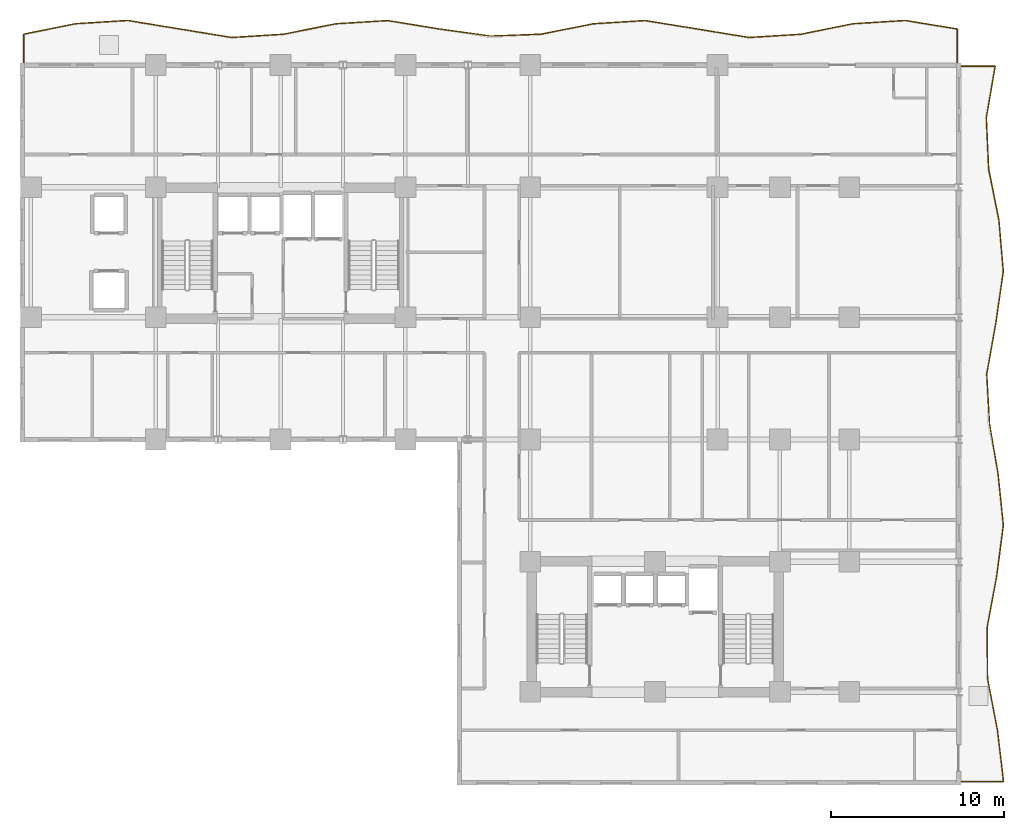
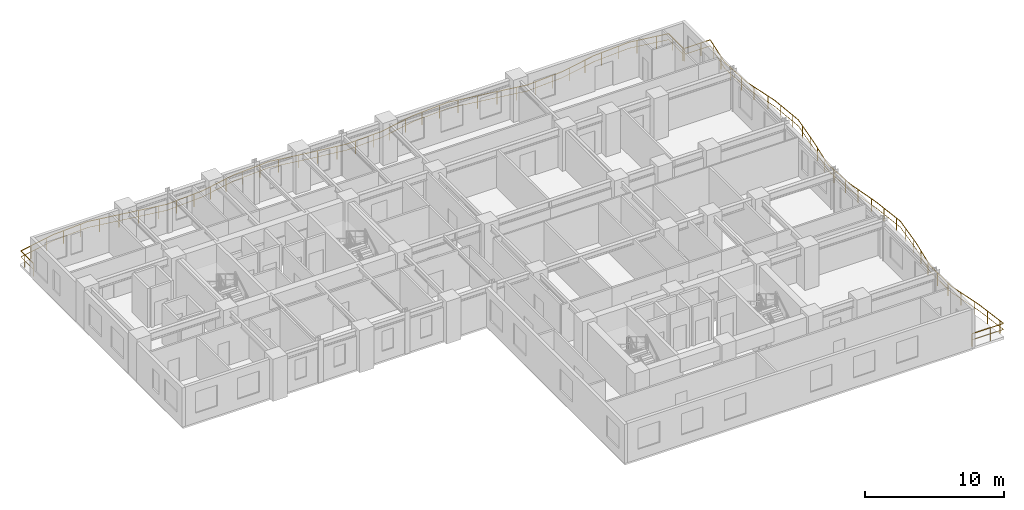
# One storey, part 11 of 11: 2 railings.
"""IFC4 building model written with IfcOpenShell, lengths in metres."""

from ifc_helpers import new_model, si_unit, direction, frame, origin, origin_2d, place, context, subcontext, project, spatial, rectangle, extrude, material, type_object, element, save


model = new_model("IFC4")

# Units and contexts
model_context = context("Model", 3, precision=1e-05, world=origin(), true_north=direction((0.0, 1.0)))
body_context = subcontext(model_context, "Body", "Model", "MODEL_VIEW")
ifc_project = project(units=[si_unit("LENGTHUNIT", "METRE"), si_unit("AREAUNIT", "SQUARE_METRE"), si_unit("VOLUMEUNIT", "CUBIC_METRE"), si_unit("PLANEANGLEUNIT", "RADIAN"), si_unit("MASSUNIT", "GRAM", prefix="KILO")], contexts=[model_context])

# Site, building, storey
site_placement = place(None, origin())
site = spatial("IfcSite", under=ifc_project, at=site_placement, CompositionType="ELEMENT")
building_placement = place(site_placement, origin())
building = spatial("IfcBuilding", under=site, at=building_placement, Name="Kaliganga Portal Commons", CompositionType="ELEMENT")
storey_placement = place(building_placement, frame((0.0, 0.0, 86.0)))
storey = spatial("IfcBuildingStorey", under=building, at=storey_placement, Name="L21", CompositionType="ELEMENT", Elevation=86.0)

# Railings
ifc_material = material(Name="Laminated Safety Glass and Stainless Steel 316", Category="steel")
railing_type = type_object("IfcRailingType", Name="RLG-BAL-1150", PredefinedType="BALUSTRADE", material=ifc_material)
railing_1_placement = place(storey_placement, frame((60.6201171875, 43.20556640625, 0.0)))
element("IfcRailing", 1, at=railing_1_placement, inside=storey, type_object=railing_type, Name="Balcony Guardrail L21 balc_north", PredefinedType="BALUSTRADE", context=body_context, shape_type="SweptSolid", body=[
    extrude(rectangle(XDim=0.048095703125, YDim=0.048095703125, at=origin_2d()), frame((0.0, 0.0, 1.1259765625), z_axis=(0.0, 1.0, 0.0), x_axis=(-1.0, 0.0, 0.0)), (0.0, 0.0, 1.0), 2.076416015625),
    extrude(rectangle(XDim=0.028076171875, YDim=0.028076171875, at=origin_2d()), frame((0.0, 0.0, 0.597900390625), z_axis=(0.0, 1.0, 0.0), x_axis=(-1.0, 0.0, 0.0)), (0.0, 0.0, 1.0), 2.076416015625),
    extrude(rectangle(XDim=0.048095703125, YDim=0.048095703125, at=origin_2d()), frame((0.0, 2.076416015625, 1.1259765625), z_axis=(-0.986897146994, 0.161350615911, 0.0), x_axis=(-0.161350615911, -0.986897146994, 0.0)), (0.0, 0.0, 1.0), 3.039794921875),
    extrude(rectangle(XDim=0.028076171875, YDim=0.028076171875, at=origin_2d()), frame((0.0, 2.076416015625, 0.597900390625), z_axis=(-0.986897146994, 0.161350615911, 0.0), x_axis=(-0.161350615911, -0.986897146994, 0.0)), (0.0, 0.0, 1.0), 3.039794921875),
    extrude(rectangle(XDim=0.048095703125, YDim=0.048095703125, at=origin_2d()), frame((-3.0, 2.56689453125, 1.1259765625), z_axis=(-0.998047518624, -0.062459191229, 0.0), x_axis=(0.062459191229, -0.998047518624, 0.0)), (0.0, 0.0, 1.0), 3.005859375),
    extrude(rectangle(XDim=0.028076171875, YDim=0.028076171875, at=origin_2d()), frame((-3.0, 2.56689453125, 0.597900390625), z_axis=(-0.998047518624, -0.062459191229, 0.0), x_axis=(0.062459191229, -0.998047518624, 0.0)), (0.0, 0.0, 1.0), 3.005859375),
    extrude(rectangle(XDim=0.048095703125, YDim=0.048095703125, at=origin_2d()), frame((-6.0, 2.379150390625, 1.1259765625), z_axis=(-0.980204587851, -0.197987287357, 0.0), x_axis=(0.197987287357, -0.980204587851, 0.0)), (0.0, 0.0, 1.0), 3.060546875),
    extrude(rectangle(XDim=0.028076171875, YDim=0.028076171875, at=origin_2d()), frame((-6.0, 2.379150390625, 0.597900390625), z_axis=(-0.980204587851, -0.197987287357, 0.0), x_axis=(0.197987287357, -0.980204587851, 0.0)), (0.0, 0.0, 1.0), 3.060546875),
    extrude(rectangle(XDim=0.048095703125, YDim=0.048095703125, at=origin_2d()), frame((-9.0, 1.773193359375, 1.1259765625), z_axis=(-0.998062678679, -0.06221647232, 0.0), x_axis=(0.06221647232, -0.998062678679, 0.0)), (0.0, 0.0, 1.0), 3.005859375),
    extrude(rectangle(XDim=0.028076171875, YDim=0.028076171875, at=origin_2d()), frame((-9.0, 1.773193359375, 0.597900390625), z_axis=(-0.998062678679, -0.06221647232, 0.0), x_axis=(0.06221647232, -0.998062678679, 0.0)), (0.0, 0.0, 1.0), 3.005859375),
    extrude(rectangle(XDim=0.048095703125, YDim=0.048095703125, at=origin_2d()), frame((-12.0, 1.586181640625, 1.1259765625), z_axis=(-0.98694825564, 0.16103769959, 0.0), x_axis=(-0.16103769959, -0.98694825564, 0.0)), (0.0, 0.0, 1.0), 3.039794921875),
    extrude(rectangle(XDim=0.028076171875, YDim=0.028076171875, at=origin_2d()), frame((-12.0, 1.586181640625, 0.597900390625), z_axis=(-0.98694825564, 0.16103769959, 0.0), x_axis=(-0.16103769959, -0.98694825564, 0.0)), (0.0, 0.0, 1.0), 3.039794921875),
    extrude(rectangle(XDim=0.048095703125, YDim=0.048095703125, at=origin_2d()), frame((-15.0, 2.07568359375, 1.1259765625), z_axis=(-0.987050191056, 0.160411721317, 0.0), x_axis=(-0.160411721317, -0.987050191056, 0.0)), (0.0, 0.0, 1.0), 3.039306640625),
    extrude(rectangle(XDim=0.028076171875, YDim=0.028076171875, at=origin_2d()), frame((-15.0, 2.07568359375, 0.597900390625), z_axis=(-0.987050191056, 0.160411721317, 0.0), x_axis=(-0.160411721317, -0.987050191056, 0.0)), (0.0, 0.0, 1.0), 3.039306640625),
    extrude(rectangle(XDim=0.048095703125, YDim=0.048095703125, at=origin_2d()), frame((-18.0, 2.563232421875, 1.1259765625), z_axis=(-0.99802689394, -0.062787888745, 0.0), x_axis=(0.062787888745, -0.99802689394, 0.0)), (0.0, 0.0, 1.0), 3.005615234375),
    extrude(rectangle(XDim=0.028076171875, YDim=0.028076171875, at=origin_2d()), frame((-18.0, 2.563232421875, 0.597900390625), z_axis=(-0.99802689394, -0.062787888745, 0.0), x_axis=(0.062787888745, -0.99802689394, 0.0)), (0.0, 0.0, 1.0), 3.005615234375),
    extrude(rectangle(XDim=0.048095703125, YDim=0.048095703125, at=origin_2d()), frame((-20.999755859375, 2.37451171875, 1.1259765625), z_axis=(-0.980669583061, -0.195671073128, 0.0), x_axis=(0.195671073128, -0.980669583061, 0.0)), (0.0, 0.0, 1.0), 3.059326171875),
    extrude(rectangle(XDim=0.028076171875, YDim=0.028076171875, at=origin_2d()), frame((-20.999755859375, 2.37451171875, 0.597900390625), z_axis=(-0.980669583061, -0.195671073128, 0.0), x_axis=(0.195671073128, -0.980669583061, 0.0)), (0.0, 0.0, 1.0), 3.059326171875),
    extrude(rectangle(XDim=0.048095703125, YDim=0.048095703125, at=origin_2d()), frame((-24.0, 1.77587890625, 1.1259765625), z_axis=(-0.999274075238, -0.038096227599, 0.0), x_axis=(0.038096227599, -0.999274075238, 0.0)), (0.0, 0.0, 1.0), 2.92236328125),
    extrude(rectangle(XDim=0.028076171875, YDim=0.028076171875, at=origin_2d()), frame((-24.0, 1.77587890625, 0.597900390625), z_axis=(-0.999274075238, -0.038096227599, 0.0), x_axis=(0.038096227599, -0.999274075238, 0.0)), (0.0, 0.0, 1.0), 2.92236328125),
    extrude(rectangle(XDim=0.048095703125, YDim=0.048095703125, at=origin_2d()), frame((-26.920166015625, 1.66455078125, 1.1259765625), z_axis=(-0.9904046318, 0.138197920782, 0.0), x_axis=(-0.138197920782, -0.9904046318, 0.0)), (0.0, 0.0, 1.0), 2.948486328125),
    extrude(rectangle(XDim=0.028076171875, YDim=0.028076171875, at=origin_2d()), frame((-26.920166015625, 1.66455078125, 0.597900390625), z_axis=(-0.9904046318, 0.138197920782, 0.0), x_axis=(-0.138197920782, -0.9904046318, 0.0)), (0.0, 0.0, 1.0), 2.948486328125),
    extrude(rectangle(XDim=0.048095703125, YDim=0.048095703125, at=origin_2d()), frame((-29.84033203125, 2.072021484375, 1.1259765625), z_axis=(-0.987014082013, 0.160633750836, 0.0), x_axis=(-0.160633750836, -0.987014082013, 0.0)), (0.0, 0.0, 1.0), 3.039794921875),
    extrude(rectangle(XDim=0.028076171875, YDim=0.028076171875, at=origin_2d()), frame((-29.84033203125, 2.072021484375, 0.597900390625), z_axis=(-0.987014082013, 0.160633750836, 0.0), x_axis=(-0.160633750836, -0.987014082013, 0.0)), (0.0, 0.0, 1.0), 3.039794921875),
    extrude(rectangle(XDim=0.048095703125, YDim=0.048095703125, at=origin_2d()), frame((-32.840576171875, 2.560302734375, 1.1259765625), z_axis=(-0.998132347923, -0.061088591653, 0.0), x_axis=(0.061088591653, -0.998132347923, 0.0)), (0.0, 0.0, 1.0), 3.00537109375),
    extrude(rectangle(XDim=0.028076171875, YDim=0.028076171875, at=origin_2d()), frame((-32.840576171875, 2.560302734375, 0.597900390625), z_axis=(-0.998132347923, -0.061088591653, 0.0), x_axis=(0.061088591653, -0.998132347923, 0.0)), (0.0, 0.0, 1.0), 3.00537109375),
    extrude(rectangle(XDim=0.048095703125, YDim=0.048095703125, at=origin_2d()), frame((-35.84033203125, 2.376708984375, 1.1259765625), z_axis=(-0.980371440796, -0.197159422984, 0.0), x_axis=(0.197159422984, -0.980371440796, 0.0)), (0.0, 0.0, 1.0), 3.059814453125),
    extrude(rectangle(XDim=0.028076171875, YDim=0.028076171875, at=origin_2d()), frame((-35.84033203125, 2.376708984375, 0.597900390625), z_axis=(-0.980371440796, -0.197159422984, 0.0), x_axis=(0.197159422984, -0.980371440796, 0.0)), (0.0, 0.0, 1.0), 3.059814453125),
    extrude(rectangle(XDim=0.048095703125, YDim=0.048095703125, at=origin_2d()), frame((-38.840087890625, 1.7734375, 1.1259765625), z_axis=(-0.998057631835, -0.062297379852, 0.0), x_axis=(0.062297379852, -0.998057631835, 0.0)), (0.0, 0.0, 1.0), 3.005859375),
    extrude(rectangle(XDim=0.028076171875, YDim=0.028076171875, at=origin_2d()), frame((-38.840087890625, 1.7734375, 0.597900390625), z_axis=(-0.998057631835, -0.062297379852, 0.0), x_axis=(0.062297379852, -0.998057631835, 0.0)), (0.0, 0.0, 1.0), 3.005859375),
    extrude(rectangle(XDim=0.048095703125, YDim=0.048095703125, at=origin_2d()), frame((-41.840087890625, 1.586181640625, 1.1259765625), z_axis=(-0.986935487284, 0.161115933227, 0.0), x_axis=(-0.161115933227, -0.986935487284, 0.0)), (0.0, 0.0, 1.0), 3.039794921875),
    extrude(rectangle(XDim=0.028076171875, YDim=0.028076171875, at=origin_2d()), frame((-41.840087890625, 1.586181640625, 0.597900390625), z_axis=(-0.986935487284, 0.161115933227, 0.0), x_axis=(-0.161115933227, -0.986935487284, 0.0)), (0.0, 0.0, 1.0), 3.039794921875),
    extrude(rectangle(XDim=0.048095703125, YDim=0.048095703125, at=origin_2d()), frame((-44.840087890625, 2.075927734375, 1.1259765625), z_axis=(-0.986884355159, 0.161428837392, 0.0), x_axis=(-0.161428837392, -0.986884355159, 0.0)), (0.0, 0.0, 1.0), 3.039794921875),
    extrude(rectangle(XDim=0.028076171875, YDim=0.028076171875, at=origin_2d()), frame((-44.840087890625, 2.075927734375, 0.597900390625), z_axis=(-0.986884355159, 0.161428837392, 0.0), x_axis=(-0.161428837392, -0.986884355159, 0.0)), (0.0, 0.0, 1.0), 3.039794921875),
    extrude(rectangle(XDim=0.048095703125, YDim=0.048095703125, at=origin_2d()), frame((-47.840087890625, 2.566650390625, 1.1259765625), z_axis=(-0.998057631835, -0.062297379852, 0.0), x_axis=(0.062297379852, -0.998057631835, 0.0)), (0.0, 0.0, 1.0), 3.005859375),
    extrude(rectangle(XDim=0.028076171875, YDim=0.028076171875, at=origin_2d()), frame((-47.840087890625, 2.566650390625, 0.597900390625), z_axis=(-0.998057631835, -0.062297379852, 0.0), x_axis=(0.062297379852, -0.998057631835, 0.0)), (0.0, 0.0, 1.0), 3.005859375),
    extrude(rectangle(XDim=0.048095703125, YDim=0.048095703125, at=origin_2d()), frame((-50.840087890625, 2.37939453125, 1.1259765625), z_axis=(-0.980173615519, -0.198140564856, 0.0), x_axis=(0.198140564856, -0.980173615519, 0.0)), (0.0, 0.0, 1.0), 3.060791015625),
    extrude(rectangle(XDim=0.028076171875, YDim=0.028076171875, at=origin_2d()), frame((-50.840087890625, 2.37939453125, 0.597900390625), z_axis=(-0.980173615519, -0.198140564856, 0.0), x_axis=(0.198140564856, -0.980173615519, 0.0)), (0.0, 0.0, 1.0), 3.060791015625),
    extrude(rectangle(XDim=0.048095703125, YDim=0.048095703125, at=origin_2d()), frame((-53.840087890625, 1.77294921875, 1.1259765625), z_axis=(-0.000137703111, -0.999999990519, 0.0), x_axis=(0.999999990519, -0.000137703111, 0.0)), (0.0, 0.0, 1.0), 1.77294921875),
    extrude(rectangle(XDim=0.028076171875, YDim=0.028076171875, at=origin_2d()), frame((-53.840087890625, 1.77294921875, 0.597900390625), z_axis=(-0.000137703111, -0.999999990519, 0.0), x_axis=(0.999999990519, -0.000137703111, 0.0)), (0.0, 0.0, 1.0), 1.77294921875),
    extrude(rectangle(XDim=0.0419921875, YDim=0.0419921875, at=origin_2d()), origin(), (0.0, 0.0, 1.0), 1.101806640625),
    extrude(rectangle(XDim=0.0419921875, YDim=0.0419921875, at=origin_2d()), frame((0.0, 1.5, 0.0)), (0.0, 0.0, 1.0), 1.101806640625),
    extrude(rectangle(XDim=0.0419921875, YDim=0.0419921875, at=origin_2d()), frame((-0.911376953125, 2.225341796875, 0.0)), (0.0, 0.0, 1.0), 1.101806640625),
    extrude(rectangle(XDim=0.0419921875, YDim=0.0419921875, at=origin_2d()), frame((-2.391845703125, 2.467529296875, 0.0)), (0.0, 0.0, 1.0), 1.101806640625),
    extrude(rectangle(XDim=0.0419921875, YDim=0.0419921875, at=origin_2d()), frame((-3.882080078125, 2.51171875, 0.0)), (0.0, 0.0, 1.0), 1.101806640625),
    extrude(rectangle(XDim=0.0419921875, YDim=0.0419921875, at=origin_2d()), frame((-5.379150390625, 2.41796875, 0.0)), (0.0, 0.0, 1.0), 1.101806640625),
    extrude(rectangle(XDim=0.0419921875, YDim=0.0419921875, at=origin_2d()), frame((-6.860595703125, 2.205322265625, 0.0)), (0.0, 0.0, 1.0), 1.101806640625),
    extrude(rectangle(XDim=0.0419921875, YDim=0.0419921875, at=origin_2d()), frame((-8.330810546875, 1.908447265625, 0.0)), (0.0, 0.0, 1.0), 1.101806640625),
    extrude(rectangle(XDim=0.0419921875, YDim=0.0419921875, at=origin_2d()), frame((-9.815673828125, 1.722412109375, 0.0)), (0.0, 0.0, 1.0), 1.101806640625),
    extrude(rectangle(XDim=0.0419921875, YDim=0.0419921875, at=origin_2d()), frame((-11.312744140625, 1.62890625, 0.0)), (0.0, 0.0, 1.0), 1.101806640625),
    extrude(rectangle(XDim=0.0419921875, YDim=0.0419921875, at=origin_2d()), frame((-12.80078125, 1.716796875, 0.0)), (0.0, 0.0, 1.0), 1.101806640625),
    extrude(rectangle(XDim=0.0419921875, YDim=0.0419921875, at=origin_2d()), frame((-14.28125, 1.95849609375, 0.0)), (0.0, 0.0, 1.0), 1.101806640625),
    extrude(rectangle(XDim=0.0419921875, YDim=0.0419921875, at=origin_2d()), frame((-15.76171875, 2.199462890625, 0.0)), (0.0, 0.0, 1.0), 1.101806640625),
    extrude(rectangle(XDim=0.0419921875, YDim=0.0419921875, at=origin_2d()), frame((-17.242431640625, 2.440185546875, 0.0)), (0.0, 0.0, 1.0), 1.101806640625),
    extrude(rectangle(XDim=0.0419921875, YDim=0.0419921875, at=origin_2d()), frame((-18.73095703125, 2.517333984375, 0.0)), (0.0, 0.0, 1.0), 1.101806640625),
    extrude(rectangle(XDim=0.0419921875, YDim=0.0419921875, at=origin_2d()), frame((-20.22802734375, 2.423095703125, 0.0)), (0.0, 0.0, 1.0), 1.101806640625),
    extrude(rectangle(XDim=0.0419921875, YDim=0.0419921875, at=origin_2d()), frame((-21.71240234375, 2.232421875, 0.0)), (0.0, 0.0, 1.0), 1.101806640625),
    extrude(rectangle(XDim=0.0419921875, YDim=0.0419921875, at=origin_2d()), frame((-23.183349609375, 1.938720703125, 0.0)), (0.0, 0.0, 1.0), 1.101806640625),
    extrude(rectangle(XDim=0.0419921875, YDim=0.0419921875, at=origin_2d()), frame((-24.6669921875, 1.75048828125, 0.0)), (0.0, 0.0, 1.0), 1.101806640625),
    extrude(rectangle(XDim=0.0419921875, YDim=0.0419921875, at=origin_2d()), frame((-26.165771484375, 1.693359375, 0.0)), (0.0, 0.0, 1.0), 1.101806640625),
    extrude(rectangle(XDim=0.0419921875, YDim=0.0419921875, at=origin_2d()), frame((-27.658203125, 1.767578125, 0.0)), (0.0, 0.0, 1.0), 1.101806640625),
    extrude(rectangle(XDim=0.0419921875, YDim=0.0419921875, at=origin_2d()), frame((-29.143798828125, 1.974853515625, 0.0)), (0.0, 0.0, 1.0), 1.101806640625),
    extrude(rectangle(XDim=0.0419921875, YDim=0.0419921875, at=origin_2d()), frame((-30.626708984375, 2.199951171875, 0.0)), (0.0, 0.0, 1.0), 1.101806640625),
    extrude(rectangle(XDim=0.0419921875, YDim=0.0419921875, at=origin_2d()), frame((-32.107177734375, 2.44091796875, 0.0)), (0.0, 0.0, 1.0), 1.101806640625),
    extrude(rectangle(XDim=0.0419921875, YDim=0.0419921875, at=origin_2d()), frame((-33.59619140625, 2.51416015625, 0.0)), (0.0, 0.0, 1.0), 1.101806640625),
    extrude(rectangle(XDim=0.0419921875, YDim=0.0419921875, at=origin_2d()), frame((-35.09326171875, 2.42236328125, 0.0)), (0.0, 0.0, 1.0), 1.101806640625),
    extrude(rectangle(XDim=0.0419921875, YDim=0.0419921875, at=origin_2d()), frame((-36.5771484375, 2.228515625, 0.0)), (0.0, 0.0, 1.0), 1.101806640625),
    extrude(rectangle(XDim=0.0419921875, YDim=0.0419921875, at=origin_2d()), frame((-38.047607421875, 1.932861328125, 0.0)), (0.0, 0.0, 1.0), 1.101806640625),
    extrude(rectangle(XDim=0.0419921875, YDim=0.0419921875, at=origin_2d()), frame((-39.530517578125, 1.730224609375, 0.0)), (0.0, 0.0, 1.0), 1.101806640625),
    extrude(rectangle(XDim=0.0419921875, YDim=0.0419921875, at=origin_2d()), frame((-41.027587890625, 1.636962890625, 0.0)), (0.0, 0.0, 1.0), 1.101806640625),
    extrude(rectangle(XDim=0.0419921875, YDim=0.0419921875, at=origin_2d()), frame((-42.51708984375, 1.69677734375, 0.0)), (0.0, 0.0, 1.0), 1.101806640625),
    extrude(rectangle(XDim=0.0419921875, YDim=0.0419921875, at=origin_2d()), frame((-43.997314453125, 1.9384765625, 0.0)), (0.0, 0.0, 1.0), 1.101806640625),
    extrude(rectangle(XDim=0.0419921875, YDim=0.0419921875, at=origin_2d()), frame((-45.477783203125, 2.18017578125, 0.0)), (0.0, 0.0, 1.0), 1.101806640625),
    extrude(rectangle(XDim=0.0419921875, YDim=0.0419921875, at=origin_2d()), frame((-46.9580078125, 2.42236328125, 0.0)), (0.0, 0.0, 1.0), 1.101806640625),
    extrude(rectangle(XDim=0.0419921875, YDim=0.0419921875, at=origin_2d()), frame((-48.4453125, 2.52880859375, 0.0)), (0.0, 0.0, 1.0), 1.101806640625),
    extrude(rectangle(XDim=0.0419921875, YDim=0.0419921875, at=origin_2d()), frame((-49.9423828125, 2.435546875, 0.0)), (0.0, 0.0, 1.0), 1.101806640625),
    extrude(rectangle(XDim=0.0419921875, YDim=0.0419921875, at=origin_2d()), frame((-51.4287109375, 2.260498046875, 0.0)), (0.0, 0.0, 1.0), 1.101806640625),
    extrude(rectangle(XDim=0.0419921875, YDim=0.0419921875, at=origin_2d()), frame((-52.89892578125, 1.963134765625, 0.0)), (0.0, 0.0, 1.0), 1.101806640625),
    extrude(rectangle(XDim=0.0419921875, YDim=0.0419921875, at=origin_2d()), frame((-53.840087890625, 1.233154296875, 0.0)), (0.0, 0.0, 1.0), 1.101806640625),
    extrude(rectangle(XDim=0.0419921875, YDim=0.0419921875, at=origin_2d()), frame((-53.84033203125, 0.0, 0.0)), (0.0, 0.0, 1.0), 1.101806640625),
])
railing_2_placement = place(storey_placement, frame((60.70703125, 1.879638671875, 0.0)))
element("IfcRailing", 2, at=railing_2_placement, inside=storey, type_object=railing_type, Name="Balcony Guardrail L21 balc_east", PredefinedType="BALUSTRADE", context=body_context, shape_type="SweptSolid", body=[
    extrude(rectangle(XDim=0.048095703125, YDim=0.048095703125, at=origin_2d()), frame((0.0, 0.0, 1.1259765625), z_axis=(0.999999995558, 9.425959e-05, 0.0), x_axis=(-9.425959e-05, 0.999999995558, 0.0)), (0.0, 0.0, 1.0), 2.590087890625),
    extrude(rectangle(XDim=0.028076171875, YDim=0.028076171875, at=origin_2d()), frame((0.0, 0.0, 0.597900390625), z_axis=(0.999999995558, 9.425959e-05, 0.0), x_axis=(-9.425959e-05, 0.999999995558, 0.0)), (0.0, 0.0, 1.0), 2.590087890625),
    extrude(rectangle(XDim=0.048095703125, YDim=0.048095703125, at=origin_2d()), frame((2.590087890625, 0.000244140625, 1.1259765625), z_axis=(-0.116836490437, 0.993151163974, 0.0), x_axis=(-0.993151163974, -0.116836490437, 0.0)), (0.0, 0.0, 1.0), 2.977783203125),
    extrude(rectangle(XDim=0.028076171875, YDim=0.028076171875, at=origin_2d()), frame((2.590087890625, 0.000244140625, 0.597900390625), z_axis=(-0.116836490437, 0.993151163974, 0.0), x_axis=(-0.993151163974, -0.116836490437, 0.0)), (0.0, 0.0, 1.0), 2.977783203125),
    extrude(rectangle(XDim=0.048095703125, YDim=0.048095703125, at=origin_2d()), frame((2.2421875, 2.95751953125, 1.1259765625), z_axis=(-0.190392360757, 0.981708077264, 0.0), x_axis=(-0.981708077264, -0.190392360757, 0.0)), (0.0, 0.0, 1.0), 3.01220703125),
    extrude(rectangle(XDim=0.028076171875, YDim=0.028076171875, at=origin_2d()), frame((2.2421875, 2.95751953125, 0.597900390625), z_axis=(-0.190392360757, 0.981708077264, 0.0), x_axis=(-0.981708077264, -0.190392360757, 0.0)), (0.0, 0.0, 1.0), 3.01220703125),
    extrude(rectangle(XDim=0.048095703125, YDim=0.048095703125, at=origin_2d()), frame((1.668701171875, 5.91455078125, 1.1259765625), z_axis=(-0.008998232242, 0.999959515089, 0.0), x_axis=(-0.999959515089, -0.008998232242, 0.0)), (0.0, 0.0, 1.0), 2.957275390625),
    extrude(rectangle(XDim=0.028076171875, YDim=0.028076171875, at=origin_2d()), frame((1.668701171875, 5.91455078125, 0.597900390625), z_axis=(-0.008998232242, 0.999959515089, 0.0), x_axis=(-0.999959515089, -0.008998232242, 0.0)), (0.0, 0.0, 1.0), 2.957275390625),
    extrude(rectangle(XDim=0.048095703125, YDim=0.048095703125, at=origin_2d()), frame((1.64208984375, 8.871826171875, 1.1259765625), z_axis=(0.184210140655, 0.982886882647, 0.0), x_axis=(-0.982886882647, 0.184210140655, 0.0)), (0.0, 0.0, 1.0), 3.008544921875),
    extrude(rectangle(XDim=0.028076171875, YDim=0.028076171875, at=origin_2d()), frame((1.64208984375, 8.871826171875, 0.597900390625), z_axis=(0.184210140655, 0.982886882647, 0.0), x_axis=(-0.982886882647, 0.184210140655, 0.0)), (0.0, 0.0, 1.0), 3.008544921875),
    extrude(rectangle(XDim=0.048095703125, YDim=0.048095703125, at=origin_2d()), frame((2.1962890625, 11.828857421875, 1.1259765625), z_axis=(0.128891072209, 0.99165875759, 0.0), x_axis=(-0.99165875759, 0.128891072209, 0.0)), (0.0, 0.0, 1.0), 2.9814453125),
    extrude(rectangle(XDim=0.028076171875, YDim=0.028076171875, at=origin_2d()), frame((2.1962890625, 11.828857421875, 0.597900390625), z_axis=(0.128891072209, 0.99165875759, 0.0), x_axis=(-0.99165875759, 0.128891072209, 0.0)), (0.0, 0.0, 1.0), 2.9814453125),
    extrude(rectangle(XDim=0.048095703125, YDim=0.048095703125, at=origin_2d()), frame((2.58056640625, 14.785400390625, 1.1259765625), z_axis=(-0.102829097179, 0.994699038289, 0.0), x_axis=(-0.994699038289, -0.102829097179, 0.0)), (0.0, 0.0, 1.0), 2.97265625),
    extrude(rectangle(XDim=0.028076171875, YDim=0.028076171875, at=origin_2d()), frame((2.58056640625, 14.785400390625, 0.597900390625), z_axis=(-0.102829097179, 0.994699038289, 0.0), x_axis=(-0.994699038289, -0.102829097179, 0.0)), (0.0, 0.0, 1.0), 2.97265625),
    extrude(rectangle(XDim=0.048095703125, YDim=0.048095703125, at=origin_2d()), frame((2.27490234375, 17.7421875, 1.1259765625), z_axis=(-0.170102854155, 0.985426313333, 0.0), x_axis=(-0.985426313333, -0.170102854155, 0.0)), (0.0, 0.0, 1.0), 2.920654296875),
    extrude(rectangle(XDim=0.028076171875, YDim=0.028076171875, at=origin_2d()), frame((2.27490234375, 17.7421875, 0.597900390625), z_axis=(-0.170102854155, 0.985426313333, 0.0), x_axis=(-0.985426313333, -0.170102854155, 0.0)), (0.0, 0.0, 1.0), 2.920654296875),
    extrude(rectangle(XDim=0.048095703125, YDim=0.048095703125, at=origin_2d()), frame((1.778076171875, 20.620361328125, 1.1259765625), z_axis=(-0.053888490989, 0.998546959606, 0.0), x_axis=(-0.998546959606, -0.053888490989, 0.0)), (0.0, 0.0, 1.0), 2.88134765625),
    extrude(rectangle(XDim=0.028076171875, YDim=0.028076171875, at=origin_2d()), frame((1.778076171875, 20.620361328125, 0.597900390625), z_axis=(-0.053888490989, 0.998546959606, 0.0), x_axis=(-0.998546959606, -0.053888490989, 0.0)), (0.0, 0.0, 1.0), 2.88134765625),
    extrude(rectangle(XDim=0.048095703125, YDim=0.048095703125, at=origin_2d()), frame((1.622802734375, 23.49755859375, 1.1259765625), z_axis=(0.175393988438, 0.984498323422, 0.0), x_axis=(-0.984498323422, 0.175393988438, 0.0)), (0.0, 0.0, 1.0), 3.00390625),
    extrude(rectangle(XDim=0.028076171875, YDim=0.028076171875, at=origin_2d()), frame((1.622802734375, 23.49755859375, 0.597900390625), z_axis=(0.175393988438, 0.984498323422, 0.0), x_axis=(-0.984498323422, 0.175393988438, 0.0)), (0.0, 0.0, 1.0), 3.00390625),
    extrude(rectangle(XDim=0.048095703125, YDim=0.048095703125, at=origin_2d()), frame((2.149658203125, 26.454833984375, 1.1259765625), z_axis=(0.143308456887, 0.989678071993, 0.0), x_axis=(-0.989678071993, 0.143308456887, 0.0)), (0.0, 0.0, 1.0), 2.988037109375),
    extrude(rectangle(XDim=0.028076171875, YDim=0.028076171875, at=origin_2d()), frame((2.149658203125, 26.454833984375, 0.597900390625), z_axis=(0.143308456887, 0.989678071993, 0.0), x_axis=(-0.989678071993, 0.143308456887, 0.0)), (0.0, 0.0, 1.0), 2.988037109375),
    extrude(rectangle(XDim=0.048095703125, YDim=0.048095703125, at=origin_2d()), frame((2.577880859375, 29.412109375, 1.1259765625), z_axis=(-0.085060482706, 0.996375789691, 0.0), x_axis=(-0.996375789691, -0.085060482706, 0.0)), (0.0, 0.0, 1.0), 2.9677734375),
    extrude(rectangle(XDim=0.028076171875, YDim=0.028076171875, at=origin_2d()), frame((2.577880859375, 29.412109375, 0.597900390625), z_axis=(-0.085060482706, 0.996375789691, 0.0), x_axis=(-0.996375789691, -0.085060482706, 0.0)), (0.0, 0.0, 1.0), 2.9677734375),
    extrude(rectangle(XDim=0.048095703125, YDim=0.048095703125, at=origin_2d()), frame((2.325439453125, 32.369140625, 1.1259765625), z_axis=(-0.196863281954, 0.980430950255, 0.0), x_axis=(-0.980430950255, -0.196863281954, 0.0)), (0.0, 0.0, 1.0), 3.01611328125),
    extrude(rectangle(XDim=0.028076171875, YDim=0.028076171875, at=origin_2d()), frame((2.325439453125, 32.369140625, 0.597900390625), z_axis=(-0.196863281954, 0.980430950255, 0.0), x_axis=(-0.980430950255, -0.196863281954, 0.0)), (0.0, 0.0, 1.0), 3.01611328125),
    extrude(rectangle(XDim=0.048095703125, YDim=0.048095703125, at=origin_2d()), frame((1.731689453125, 35.326171875, 1.1259765625), z_axis=(-0.045033526252, 0.998985476127, 0.0), x_axis=(-0.998985476127, -0.045033526252, 0.0)), (0.0, 0.0, 1.0), 2.9599609375),
    extrude(rectangle(XDim=0.028076171875, YDim=0.028076171875, at=origin_2d()), frame((1.731689453125, 35.326171875, 0.597900390625), z_axis=(-0.045033526252, 0.998985476127, 0.0), x_axis=(-0.998985476127, -0.045033526252, 0.0)), (0.0, 0.0, 1.0), 2.9599609375),
    extrude(rectangle(XDim=0.048095703125, YDim=0.048095703125, at=origin_2d()), frame((1.598388671875, 38.283203125, 1.1259765625), z_axis=(0.169397389678, 0.98554782957, 0.0), x_axis=(-0.98554782957, 0.169397389678, 0.0)), (0.0, 0.0, 1.0), 3.000732421875),
    extrude(rectangle(XDim=0.028076171875, YDim=0.028076171875, at=origin_2d()), frame((1.598388671875, 38.283203125, 0.597900390625), z_axis=(0.169397389678, 0.98554782957, 0.0), x_axis=(-0.98554782957, 0.169397389678, 0.0)), (0.0, 0.0, 1.0), 3.000732421875),
    extrude(rectangle(XDim=0.048095703125, YDim=0.048095703125, at=origin_2d()), frame((2.106689453125, 41.240478515625, 1.1259765625), z_axis=(-0.999999993285, 0.000115888283, 0.0), x_axis=(-0.000115888283, -0.999999993285, 0.0)), (0.0, 0.0, 1.0), 2.106689453125),
    extrude(rectangle(XDim=0.028076171875, YDim=0.028076171875, at=origin_2d()), frame((2.106689453125, 41.240478515625, 0.597900390625), z_axis=(-0.999999993285, 0.000115888283, 0.0), x_axis=(-0.000115888283, -0.999999993285, 0.0)), (0.0, 0.0, 1.0), 2.106689453125),
    extrude(rectangle(XDim=0.0419921875, YDim=0.0419921875, at=origin_2d()), origin(), (0.0, 0.0, 1.0), 1.101806640625),
    extrude(rectangle(XDim=0.0419921875, YDim=0.0419921875, at=origin_2d()), frame((1.5, 0.000244140625, 0.0)), (0.0, 0.0, 1.0), 1.101806640625),
    extrude(rectangle(XDim=0.0419921875, YDim=0.0419921875, at=origin_2d()), frame((2.542236328125, 0.407470703125, 0.0)), (0.0, 0.0, 1.0), 1.101806640625),
    extrude(rectangle(XDim=0.0419921875, YDim=0.0419921875, at=origin_2d()), frame((2.366943359375, 1.89697265625, 0.0)), (0.0, 0.0, 1.0), 1.101806640625),
    extrude(rectangle(XDim=0.0419921875, YDim=0.0419921875, at=origin_2d()), frame((2.159912109375, 3.3818359375, 0.0)), (0.0, 0.0, 1.0), 1.101806640625),
    extrude(rectangle(XDim=0.0419921875, YDim=0.0419921875, at=origin_2d()), frame((1.874267578125, 4.8544921875, 0.0)), (0.0, 0.0, 1.0), 1.101806640625),
    extrude(rectangle(XDim=0.0419921875, YDim=0.0419921875, at=origin_2d()), frame((1.6650390625, 6.334716796875, 0.0)), (0.0, 0.0, 1.0), 1.101806640625),
    extrude(rectangle(XDim=0.0419921875, YDim=0.0419921875, at=origin_2d()), frame((1.6513671875, 7.83447265625, 0.0)), (0.0, 0.0, 1.0), 1.101806640625),
    extrude(rectangle(XDim=0.0419921875, YDim=0.0419921875, at=origin_2d()), frame((1.727294921875, 9.32666015625, 0.0)), (0.0, 0.0, 1.0), 1.101806640625),
    extrude(rectangle(XDim=0.0419921875, YDim=0.0419921875, at=origin_2d()), frame((2.003662109375, 10.801025390625, 0.0)), (0.0, 0.0, 1.0), 1.101806640625),
    extrude(rectangle(XDim=0.0419921875, YDim=0.0419921875, at=origin_2d()), frame((2.2548828125, 12.279296875, 0.0)), (0.0, 0.0, 1.0), 1.101806640625),
    extrude(rectangle(XDim=0.0419921875, YDim=0.0419921875, at=origin_2d()), frame((2.4482421875, 13.766845703125, 0.0)), (0.0, 0.0, 1.0), 1.101806640625),
    extrude(rectangle(XDim=0.0419921875, YDim=0.0419921875, at=origin_2d()), frame((2.531982421875, 15.255615234375, 0.0)), (0.0, 0.0, 1.0), 1.101806640625),
    extrude(rectangle(XDim=0.0419921875, YDim=0.0419921875, at=origin_2d()), frame((2.377685546875, 16.747802734375, 0.0)), (0.0, 0.0, 1.0), 1.101806640625),
    extrude(rectangle(XDim=0.0419921875, YDim=0.0419921875, at=origin_2d()), frame((2.189697265625, 18.235107421875, 0.0)), (0.0, 0.0, 1.0), 1.101806640625),
    extrude(rectangle(XDim=0.0419921875, YDim=0.0419921875, at=origin_2d()), frame((1.9345703125, 19.71337890625, 0.0)), (0.0, 0.0, 1.0), 1.101806640625),
    extrude(rectangle(XDim=0.0419921875, YDim=0.0419921875, at=origin_2d()), frame((1.746826171875, 21.198974609375, 0.0)), (0.0, 0.0, 1.0), 1.101806640625),
    extrude(rectangle(XDim=0.0419921875, YDim=0.0419921875, at=origin_2d()), frame((1.666015625, 22.69677734375, 0.0)), (0.0, 0.0, 1.0), 1.101806640625),
    extrude(rectangle(XDim=0.0419921875, YDim=0.0419921875, at=origin_2d()), frame((1.745361328125, 24.184814453125, 0.0)), (0.0, 0.0, 1.0), 1.101806640625),
    extrude(rectangle(XDim=0.0419921875, YDim=0.0419921875, at=origin_2d()), frame((2.00830078125, 25.66162109375, 0.0)), (0.0, 0.0, 1.0), 1.101806640625),
    extrude(rectangle(XDim=0.0419921875, YDim=0.0419921875, at=origin_2d()), frame((2.249267578125, 27.141845703125, 0.0)), (0.0, 0.0, 1.0), 1.101806640625),
    extrude(rectangle(XDim=0.0419921875, YDim=0.0419921875, at=origin_2d()), frame((2.464111328125, 28.62646484375, 0.0)), (0.0, 0.0, 1.0), 1.101806640625),
    extrude(rectangle(XDim=0.0419921875, YDim=0.0419921875, at=origin_2d()), frame((2.517822265625, 30.11572265625, 0.0)), (0.0, 0.0, 1.0), 1.101806640625),
    extrude(rectangle(XDim=0.0419921875, YDim=0.0419921875, at=origin_2d()), frame((2.39013671875, 31.6103515625, 0.0)), (0.0, 0.0, 1.0), 1.101806640625),
    extrude(rectangle(XDim=0.0419921875, YDim=0.0419921875, at=origin_2d()), frame((2.18017578125, 33.093017578125, 0.0)), (0.0, 0.0, 1.0), 1.101806640625),
    extrude(rectangle(XDim=0.0419921875, YDim=0.0419921875, at=origin_2d()), frame((1.884765625, 34.563720703125, 0.0)), (0.0, 0.0, 1.0), 1.101806640625),
    extrude(rectangle(XDim=0.0419921875, YDim=0.0419921875, at=origin_2d()), frame((1.69921875, 36.0478515625, 0.0)), (0.0, 0.0, 1.0), 1.101806640625),
    extrude(rectangle(XDim=0.0419921875, YDim=0.0419921875, at=origin_2d()), frame((1.631591796875, 37.546142578125, 0.0)), (0.0, 0.0, 1.0), 1.101806640625),
    extrude(rectangle(XDim=0.0419921875, YDim=0.0419921875, at=origin_2d()), frame((1.7275390625, 39.034423828125, 0.0)), (0.0, 0.0, 1.0), 1.101806640625),
    extrude(rectangle(XDim=0.0419921875, YDim=0.0419921875, at=origin_2d()), frame((1.981689453125, 40.5126953125, 0.0)), (0.0, 0.0, 1.0), 1.101806640625),
    extrude(rectangle(XDim=0.0419921875, YDim=0.0419921875, at=origin_2d()), frame((1.344970703125, 41.240478515625, 0.0)), (0.0, 0.0, 1.0), 1.101806640625),
    extrude(rectangle(XDim=0.0419921875, YDim=0.0419921875, at=origin_2d()), frame((0.0, 41.24072265625, 0.0)), (0.0, 0.0, 1.0), 1.101806640625),
])

save(model, "model.ifc")
